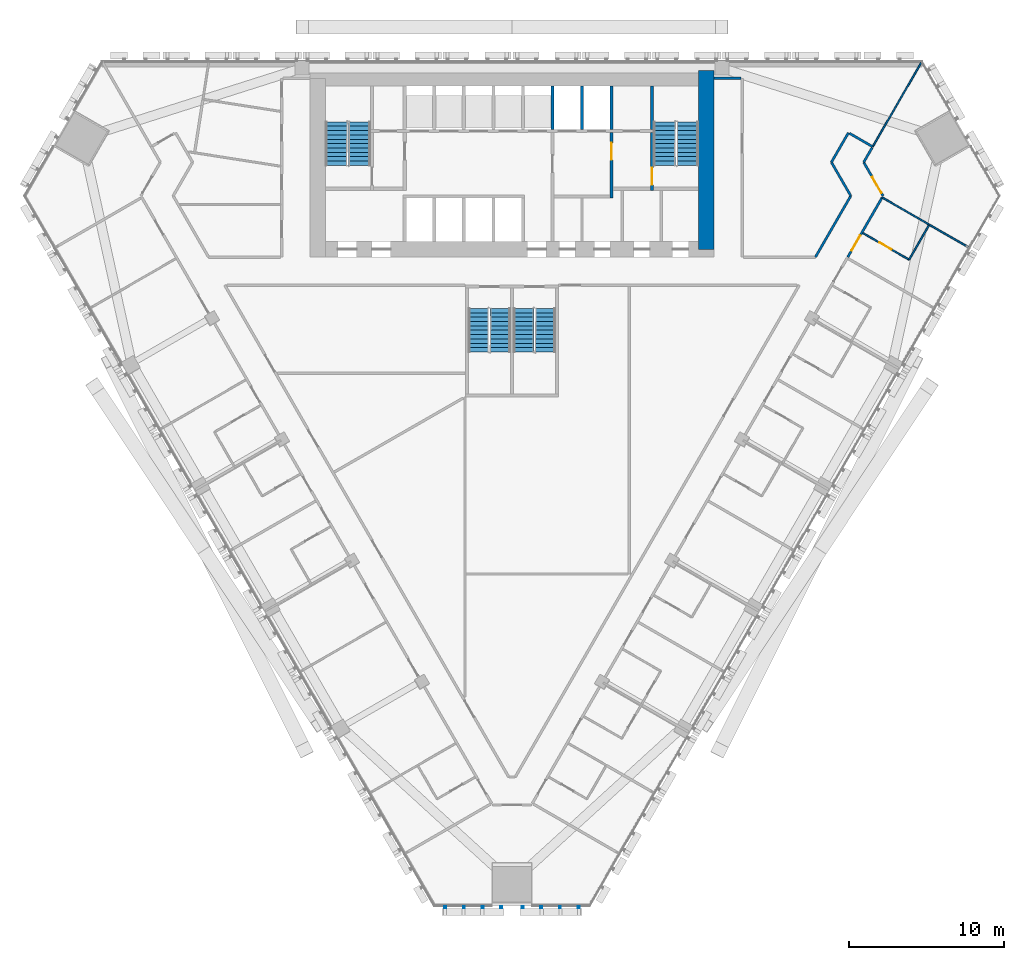
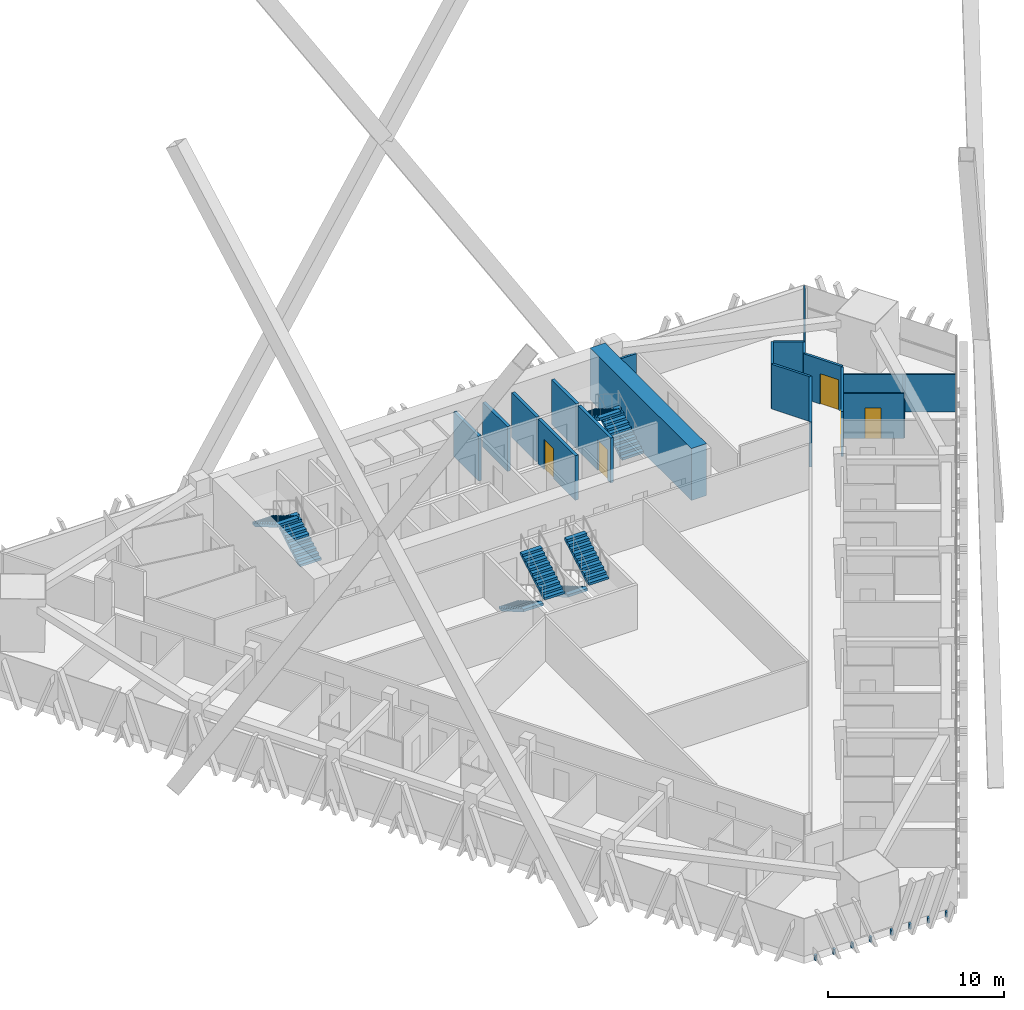
# One storey, part 20 of 24: 19 walls, 8 stair flights, 5 doors, 1 discrete accessory, 5 openings, 4 elements without a shape of their own.
"""IFC4 building model written with IfcOpenShell, lengths in metres."""

from ifc_helpers import new_model, si_unit, direction, frame, frame_2d, origin, place, context, subcontext, project, spatial, polyline, rectangle, outline, extrude, source, transform, mapped, material, layer, layer_set, type_object, element, fill, aggregate, save


model = new_model("IFC4")

# Units and contexts
model_context = context("Model", 3, precision=1e-05, world=origin(), true_north=direction((0.0, 1.0)))
body_context = subcontext(model_context, "Body", "Model", "MODEL_VIEW")
ifc_project = project(units=[si_unit("LENGTHUNIT", "METRE"), si_unit("AREAUNIT", "SQUARE_METRE"), si_unit("VOLUMEUNIT", "CUBIC_METRE"), si_unit("PLANEANGLEUNIT", "RADIAN"), si_unit("MASSUNIT", "GRAM", prefix="KILO")], contexts=[model_context])

# Site, building, storey
site_placement = place(None, origin())
site = spatial("IfcSite", under=ifc_project, at=site_placement, CompositionType="ELEMENT")
building_placement = place(site_placement, origin())
building = spatial("IfcBuilding", under=site, at=building_placement, Name="Altiplano Prism Tower", CompositionType="ELEMENT")
storey_placement = place(building_placement, frame((0.0, 0.0, 27.0)))
storey = spatial("IfcBuildingStorey", under=building, at=storey_placement, Name="L05", CompositionType="ELEMENT", Elevation=27.0)

# Walls
ifc_material_1 = material(Name="Concrete C70/85", Category="concrete")
ifc_layer_1 = layer(ifc_material_1, 1.0)
ifc_layer_set_1 = layer_set([ifc_layer_1], Name="Concrete C70/85")
wall_type_1 = type_object("IfcWallType", Name="Core wall 1000", PredefinedType="SHEAR", material=ifc_layer_set_1)
wall_1_placement = place(storey_placement, frame((97.5, 92.89990234375, 0.0), z_axis=(0.0, 0.0, 1.0), x_axis=(0.0, 1.0, 0.0)))
element("IfcWall", 1, at=wall_1_placement, inside=storey, type_object=wall_type_1, Name="Core wall E L05", PredefinedType="SHEAR", context=body_context, shape_type="SweptSolid", body=[
    extrude(rectangle(XDim=11.5, YDim=1.0, at=frame_2d((5.75, 0.0))), origin(), (0.0, 0.0, 1.0), 3.60009765625),
])
ifc_material_2 = material(Name="Plasterboard on steel stud", Category="steel")
ifc_layer_2 = layer(ifc_material_2, 0.10009765625)
ifc_layer_set_2 = layer_set([ifc_layer_2], Name="Plasterboard on steel stud")
wall_type_2 = type_object("IfcWallType", Name="Partition 100 unit", PredefinedType="PARTITIONING", material=ifc_layer_set_2)
wall_2_placement = place(storey_placement, frame((111.8134765625, 94.4423828125, 0.0), z_axis=(0.0, 0.0, 1.0), x_axis=(-0.499948979701, -0.866054858364, 0.0)))
element("IfcWall", 2, at=wall_2_placement, inside=storey, type_object=wall_type_2, Name="Partition P02 L05 086", PredefinedType="PARTITIONING", context=body_context, shape_type="SweptSolid", body=[
    extrude(rectangle(XDim=2.550048828125, YDim=0.10009765625, at=frame_2d((1.27490234375, 0.0))), origin(), (0.0, 0.0, 1.0), 2.60009765625),
])

# Wall, opening, door
wall_3_placement = place(storey_placement, frame((110.53857421875, 92.23388671875, 0.0), z_axis=(0.0, 0.0, 1.0), x_axis=(-0.866050272892, 0.499956922968, 0.0)))
wall_3 = element("IfcWall", 3, at=wall_3_placement, inside=storey, type_object=wall_type_2, Name="Partition P02 L05 087", PredefinedType="PARTITIONING", context=body_context, shape_type="SweptSolid", body=[
    extrude(rectangle(XDim=3.425048828125, YDim=0.10009765625, at=frame_2d((1.71240234375, 0.0))), origin(), (0.0, 0.0, 1.0), 3.10009765625),
])
opening_1_placement = place(wall_3_placement, frame((1.300048828125, 0.0, 0.0)))
opening_1 = element("IfcOpeningElement", 4, at=opening_1_placement, cuts=wall_3, Name="Opening D0171", PredefinedType="OPENING", context=body_context, shape_type="SweptSolid", body=[
    extrude(rectangle(XDim=0.89990234375, YDim=2.10009765625, at=frame_2d((0.449951171875, 1.050048828125))), frame((0.0, 0.060546875, 0.0), z_axis=(0.0, -1.0, 0.0), x_axis=(1.0, 0.0, 0.0)), (0.0, 0.0, 1.0), 0.12109375),
])
ifc_material_3 = material(Name="Timber", Category="wood")
door_type_1 = type_object("IfcDoorType", Name="Accessible ensuite door 900 x 2100", OperationType="NOTDEFINED", PredefinedType="NOTDEFINED", material=ifc_material_3)
door_1_placement = place(opening_1_placement, origin())
door_1 = element("IfcDoor", 5, at=door_1_placement, inside=storey, type_object=door_type_1, Name="Door D0171", OperationType="SINGLE_SWING_LEFT", OverallHeight=2.10009765625, OverallWidth=0.89990234375, PredefinedType="NOTDEFINED", context=body_context, shape_type="SweptSolid", body=[
    extrude(rectangle(XDim=0.89990234375, YDim=2.10009765625, at=frame_2d((0.449951171875, 1.050048828125))), frame((0.0, 0.02490234375, 0.0), z_axis=(0.0, -1.0, 0.0), x_axis=(1.0, 0.0, 0.0)), (0.0, 0.0, 1.0), 0.050048828125),
])
fill(opening_1, door_1)

# Walls
ifc_layer_3 = layer(ifc_material_2, 0.10009765625)
ifc_layer_set_3 = layer_set([ifc_layer_3], Name="Plasterboard on steel stud")
wall_type_3 = type_object("IfcWallType", Name="Partition 100 wet", PredefinedType="PARTITIONING", material=ifc_layer_set_3)
wall_4_placement = place(storey_placement, frame((114.367431640625, 93.025390625, 0.0), z_axis=(0.0, 0.0, 1.0), x_axis=(-0.866018406147, 0.500012120068, 0.0)))
element("IfcWall", 6, at=wall_4_placement, inside=storey, type_object=wall_type_3, Name="Partition P03 L05 088", PredefinedType="PARTITIONING", context=body_context, shape_type="SweptSolid", body=[
    extrude(rectangle(XDim=6.420166015625, YDim=0.10009765625, at=frame_2d((3.2099609375, 0.0))), origin(), (0.0, 0.0, 1.0), 2.60009765625),
])
wall_5_placement = place(storey_placement, frame((111.3154296875, 104.89990234375, 0.0), z_axis=(0.0, 0.0, 1.0), x_axis=(-0.500004896655, -0.866022576681, 0.0)))
element("IfcWall", 7, at=wall_5_placement, inside=storey, type_object=wall_type_3, Name="Partition P03 L05 089", PredefinedType="PARTITIONING", context=body_context, shape_type="SweptSolid", body=[
    extrude(rectangle(XDim=6.2353515625, YDim=0.10009765625, at=frame_2d((3.11767578125, 0.0))), origin(), (0.0, 0.0, 1.0), 2.60009765625),
])

# Wall, opening, door
ifc_layer_4 = layer(ifc_material_2, 0.14990234375)
ifc_layer_set_4 = layer_set([ifc_layer_4], Name="Plasterboard on steel stud")
wall_type_4 = type_object("IfcWallType", Name="Partition 150 corridor", PredefinedType="PARTITIONING", material=ifc_layer_set_4)
wall_6_placement = place(storey_placement, frame((106.593017578125, 92.39990234375, 0.0), z_axis=(0.0, 0.0, 1.0), x_axis=(0.499968989506, 0.866043306961, 0.0)))
wall_6 = element("IfcWall", 8, at=wall_6_placement, inside=storey, type_object=wall_type_4, Name="Partition P06 L05 013", PredefinedType="PARTITIONING", context=body_context, shape_type="SweptSolid", body=[
    extrude(rectangle(XDim=4.428955078125, YDim=0.14990234375, at=frame_2d((2.21435546875, 0.0))), origin(), (0.0, 0.0, 1.0), 3.10009765625),
])
opening_2_placement = place(wall_6_placement, frame((0.5, 0.0, 0.0)))
opening_2 = element("IfcOpeningElement", 9, at=opening_2_placement, cuts=wall_6, Name="Opening D0170", PredefinedType="OPENING", context=body_context, shape_type="SweptSolid", body=[
    extrude(rectangle(XDim=1.10009765625, YDim=2.10009765625, at=frame_2d((0.550048828125, 1.050048828125))), frame((0.0, 0.08544921875, 0.0), z_axis=(0.0, -1.0, 0.0), x_axis=(1.0, 0.0, 0.0)), (0.0, 0.0, 1.0), 0.1708984375),
])
door_type_2 = type_object("IfcDoorType", Name="Accessible bedroom door 1100 x 2100", OperationType="NOTDEFINED", PredefinedType="NOTDEFINED", material=ifc_material_3)
door_2_placement = place(opening_2_placement, origin())
door_2 = element("IfcDoor", 10, at=door_2_placement, inside=storey, type_object=door_type_2, Name="Door D0170", OperationType="SINGLE_SWING_RIGHT", OverallHeight=2.10009765625, OverallWidth=1.10009765625, PredefinedType="NOTDEFINED", context=body_context, shape_type="SweptSolid", body=[
    extrude(rectangle(XDim=1.10009765625, YDim=2.10009765625, at=frame_2d((0.550048828125, 1.050048828125))), frame((0.0, 0.02490234375, 0.0), z_axis=(0.0, -1.0, 0.0), x_axis=(1.0, 0.0, 0.0)), (0.0, 0.0, 1.0), 0.050048828125),
])
fill(opening_2, door_2)

wall_7_placement = place(storey_placement, frame((108.867431640625, 96.33984375, 0.0), z_axis=(0.0, 0.0, 1.0), x_axis=(-0.499970989427, 0.866042152399, 0.0)))
wall_7 = element("IfcWall", 11, at=wall_7_placement, inside=storey, type_object=wall_type_4, Name="Partition P06 L05 014", PredefinedType="PARTITIONING", context=body_context, shape_type="SweptSolid", body=[
    extrude(rectangle(XDim=2.494384765625, YDim=0.14990234375, at=frame_2d((1.2470703125, 0.0))), origin(), (0.0, 0.0, 1.0), 3.10009765625),
])
opening_3_placement = place(wall_7_placement, frame((0.199951171875, 0.0, 0.0)))
opening_3 = element("IfcOpeningElement", 12, at=opening_3_placement, cuts=wall_7, Name="Opening D0172", PredefinedType="OPENING", context=body_context, shape_type="SweptSolid", body=[
    extrude(rectangle(XDim=1.199951171875, YDim=2.10009765625, at=frame_2d((0.60009765625, 1.050048828125))), frame((0.0, 0.08544921875, 0.0), z_axis=(0.0, -1.0, 0.0), x_axis=(1.0, 0.0, 0.0)), (0.0, 0.0, 1.0), 0.1708984375),
])
door_type_3 = type_object("IfcDoorType", Name="Shared room door 1200 x 2100", OperationType="NOTDEFINED", PredefinedType="NOTDEFINED", material=ifc_material_3)
door_3_placement = place(opening_3_placement, origin())
door_3 = element("IfcDoor", 13, at=door_3_placement, inside=storey, type_object=door_type_3, Name="Door D0172", OperationType="SINGLE_SWING_RIGHT", OverallHeight=2.10009765625, OverallWidth=1.199951171875, PredefinedType="NOTDEFINED", context=body_context, shape_type="SweptSolid", body=[
    extrude(rectangle(XDim=1.199951171875, YDim=2.10009765625, at=frame_2d((0.60009765625, 1.050048828125))), frame((0.0, 0.02490234375, 0.0), z_axis=(0.0, -1.0, 0.0), x_axis=(1.0, 0.0, 0.0)), (0.0, 0.0, 1.0), 0.050048828125),
])
fill(opening_3, door_3)

# Walls
wall_8_placement = place(storey_placement, frame((107.620361328125, 98.5, 0.0), z_axis=(0.0, 0.0, 1.0), x_axis=(0.499957341738, 0.866050031143, 0.0)))
element("IfcWall", 14, at=wall_8_placement, inside=storey, type_object=wall_type_4, Name="Partition P06 L05 015", PredefinedType="PARTITIONING", context=body_context, shape_type="SweptSolid", body=[
    extrude(rectangle(XDim=1.07958984375, YDim=0.14990234375, at=frame_2d((0.539794921875, 0.0))), origin(), (0.0, 0.0, 1.0), 3.10009765625),
])
wall_9_placement = place(storey_placement, frame((108.19775390625, 99.5, 0.0), z_axis=(0.0, 0.0, 1.0), x_axis=(-0.866013532718, 0.500020560727, 0.0)))
element("IfcWall", 15, at=wall_9_placement, inside=storey, type_object=wall_type_4, Name="Partition P06 L05 018", PredefinedType="PARTITIONING", context=body_context, shape_type="SweptSolid", body=[
    extrude(rectangle(XDim=1.72509765625, YDim=0.14990234375, at=frame_2d((0.862548828125, 0.0))), origin(), (0.0, 0.0, 1.0), 3.10009765625),
])
wall_10_placement = place(storey_placement, frame((106.638671875, 100.39990234375, 0.0), z_axis=(0.0, 0.0, 1.0), x_axis=(-0.500005024956, -0.866022502605, 0.0)))
element("IfcWall", 16, at=wall_10_placement, inside=storey, type_object=wall_type_4, Name="Partition P06 L05 019", PredefinedType="PARTITIONING", context=body_context, shape_type="SweptSolid", body=[
    extrude(rectangle(XDim=2.19384765625, YDim=0.14990234375, at=frame_2d((1.096923828125, 0.0))), origin(), (0.0, 0.0, 1.0), 3.10009765625),
])
wall_11_placement = place(storey_placement, frame((105.541748046875, 98.5, 0.0), z_axis=(0.0, 0.0, 1.0), x_axis=(0.50004439687, -0.865999769722, 0.0)))
element("IfcWall", 17, at=wall_11_placement, inside=storey, type_object=wall_type_4, Name="Partition P06 L05 020", PredefinedType="PARTITIONING", context=body_context, shape_type="SweptSolid", body=[
    extrude(rectangle(XDim=2.494384765625, YDim=0.14990234375, at=frame_2d((1.2470703125, 0.0))), origin(), (0.0, 0.0, 1.0), 3.10009765625),
])
wall_12_placement = place(storey_placement, frame((106.7890625, 96.33984375, 0.0), z_axis=(0.0, 0.0, 1.0), x_axis=(-0.499988785058, -0.866031878637, 0.0)))
element("IfcWall", 18, at=wall_12_placement, inside=storey, type_object=wall_type_4, Name="Partition P06 L05 021", PredefinedType="PARTITIONING", context=body_context, shape_type="SweptSolid", body=[
    extrude(rectangle(XDim=4.54931640625, YDim=0.14990234375, at=frame_2d((2.274658203125, 0.0))), origin(), (0.0, 0.0, 1.0), 3.10009765625),
])
wall_13_placement = place(storey_placement, frame((99.72509765625, 103.89990234375, 0.0), z_axis=(0.0, 0.0, 1.0), x_axis=(-1.0, 0.0, 0.0)))
element("IfcWall", 19, at=wall_13_placement, inside=storey, type_object=wall_type_4, Name="Partition P06 L05 024", PredefinedType="PARTITIONING", context=body_context, shape_type="SweptSolid", body=[
    extrude(rectangle(XDim=1.72509765625, YDim=0.14990234375, at=frame_2d((0.862548828125, 0.0))), origin(), (0.0, 0.0, 1.0), 2.60009765625),
])
ifc_material_4 = material(Name="Concrete C60/75", Category="concrete")
ifc_layer_5 = layer(ifc_material_4, 0.199951171875)
ifc_layer_set_5 = layer_set([ifc_layer_5], Name="Concrete C60/75")
wall_type_5 = type_object("IfcWallType", Name="Shaft wall 200", PredefinedType="SOLIDWALL", material=ifc_layer_set_5)
for number, where, z_axis, x_axis, name in (
    (20, (87.60009765625, 100.60009765625, 0.0), (0.0, 0.0, 1.0), (0.0, 1.0, 0.0), "Shaft wall L05"),
    (21, (89.5, 100.60009765625, 0.0), (0.0, 0.0, 1.0), (0.0, 1.0, 0.0), "Shaft wall L05"),
    (22, (91.39990234375, 100.60009765625, 0.0), (0.0, 0.0, 1.0), (0.0, 1.0, 0.0), "Shaft wall L05"),
):
    element("IfcWall", number, at=place(storey_placement, frame(where, z_axis=z_axis, x_axis=x_axis)), inside=storey, type_object=wall_type_5, Name=name, PredefinedType="SOLIDWALL", context=body_context, shape_type="SweptSolid", body=[
        extrude(rectangle(XDim=2.7998046875, YDim=0.199951171875, at=frame_2d((1.39990234375, 0.0))), origin(), (0.0, 0.0, 1.0), 3.10009765625),
    ])

# Wall, opening, door
ifc_layer_6 = layer(ifc_material_4, 0.199951171875)
ifc_layer_set_6 = layer_set([ifc_layer_6], Name="Concrete C60/75")
wall_type_6 = type_object("IfcWallType", Name="Stair wall 200", PredefinedType="SOLIDWALL", material=ifc_layer_set_6)
wall_14_placement = place(storey_placement, frame((94.0, 96.699951171875, 0.0), z_axis=(0.0, 0.0, 1.0), x_axis=(0.0, 1.0, 0.0)))
wall_14 = element("IfcWall", 23, at=wall_14_placement, inside=storey, type_object=wall_type_6, Name="Stair wall L05", PredefinedType="SOLIDWALL", context=body_context, shape_type="SweptSolid", body=[
    extrude(rectangle(XDim=3.699951171875, YDim=0.199951171875, at=frame_2d((1.85009765625, 0.0))), origin(), (0.0, 0.0, 1.0), 3.10009765625),
])
opening_4_placement = place(wall_14_placement, frame((0.35009765625, 0.0, 0.0)))
opening_4 = element("IfcOpeningElement", 24, at=opening_4_placement, cuts=wall_14, Name="Opening D2655", PredefinedType="OPENING", context=body_context, shape_type="SweptSolid", body=[
    extrude(rectangle(XDim=1.10009765625, YDim=2.10009765625, at=frame_2d((0.550048828125, 1.050048828125))), frame((0.0, 0.1103515625, 0.0), z_axis=(0.0, -1.0, 0.0), x_axis=(1.0, 0.0, 0.0)), (0.0, 0.0, 1.0), 0.220947265625),
])
ifc_material_5 = material(Name="Fire-rated steel door", Category="steel")
door_type_4 = type_object("IfcDoorType", Name="Stair fire door 1100 x 2100", OperationType="NOTDEFINED", PredefinedType="NOTDEFINED", material=ifc_material_5)
door_4_placement = place(opening_4_placement, origin())
door_4 = element("IfcDoor", 25, at=door_4_placement, inside=storey, type_object=door_type_4, Name="Stair fire door D2655", OperationType="SINGLE_SWING_LEFT", OverallHeight=2.10009765625, OverallWidth=1.10009765625, PredefinedType="NOTDEFINED", context=body_context, shape_type="SweptSolid", body=[
    extrude(rectangle(XDim=1.10009765625, YDim=2.10009765625, at=frame_2d((0.550048828125, 1.050048828125))), frame((0.0, 0.02490234375, 0.0), z_axis=(0.0, -1.0, 0.0), x_axis=(1.0, 0.0, 0.0)), (0.0, 0.0, 1.0), 0.050048828125),
])
fill(opening_4, door_4)

# Wall
wall_15_placement = place(storey_placement, frame((94.0, 100.60009765625, 0.0), z_axis=(0.0, 0.0, 1.0), x_axis=(0.0, 1.0, 0.0)))
element("IfcWall", 26, at=wall_15_placement, inside=storey, type_object=wall_type_6, Name="Stair wall L05", PredefinedType="SOLIDWALL", context=body_context, shape_type="SweptSolid", body=[
    extrude(rectangle(XDim=2.7998046875, YDim=0.199951171875, at=frame_2d((1.39990234375, 0.0))), origin(), (0.0, 0.0, 1.0), 3.10009765625),
])

# Wall, opening, door
ifc_layer_7 = layer(ifc_material_4, 0.199951171875)
ifc_layer_set_7 = layer_set([ifc_layer_7], Name="Concrete C60/75")
wall_type_7 = type_object("IfcWallType", Name="Vestibule wall 200", PredefinedType="PARTITIONING", material=ifc_layer_set_7)
wall_16_placement = place(storey_placement, frame((91.39990234375, 96.199951171875, 0.0), z_axis=(0.0, 0.0, 1.0), x_axis=(0.0, 1.0, 0.0)))
wall_16 = element("IfcWall", 27, at=wall_16_placement, inside=storey, type_object=wall_type_7, Name="Vestibule wall L05", PredefinedType="PARTITIONING", context=body_context, shape_type="SweptSolid", body=[
    extrude(rectangle(XDim=4.199951171875, YDim=0.199951171875, at=frame_2d((2.10009765625, 0.0))), origin(), (0.0, 0.0, 1.0), 3.10009765625),
])
opening_5_placement = place(wall_16_placement, frame((2.449951171875, 0.0, 0.0)))
opening_5 = element("IfcOpeningElement", 28, at=opening_5_placement, cuts=wall_16, Name="Opening D2658", PredefinedType="OPENING", context=body_context, shape_type="SweptSolid", body=[
    extrude(rectangle(XDim=1.10009765625, YDim=2.10009765625, at=frame_2d((0.550048828125, 1.050048828125))), frame((0.0, 0.1103515625, 0.0), z_axis=(0.0, -1.0, 0.0), x_axis=(1.0, 0.0, 0.0)), (0.0, 0.0, 1.0), 0.220947265625),
])
door_type_5 = type_object("IfcDoorType", Name="Vestibule fire door 1100 x 2100", OperationType="NOTDEFINED", PredefinedType="NOTDEFINED", material=ifc_material_5)
door_5_placement = place(opening_5_placement, origin())
door_5 = element("IfcDoor", 29, at=door_5_placement, inside=storey, type_object=door_type_5, Name="Vestibule fire door D2658", OperationType="SINGLE_SWING_LEFT", OverallHeight=2.10009765625, OverallWidth=1.10009765625, PredefinedType="NOTDEFINED", context=body_context, shape_type="SweptSolid", body=[
    extrude(rectangle(XDim=1.10009765625, YDim=2.10009765625, at=frame_2d((0.550048828125, 1.050048828125))), frame((0.0, 0.02490234375, 0.0), z_axis=(0.0, -1.0, 0.0), x_axis=(1.0, 0.0, 0.0)), (0.0, 0.0, 1.0), 0.050048828125),
])
fill(opening_5, door_5)

# Stair, stair flights
ifc_material_6 = material(Name="Concrete C40/50", Category="concrete")
stair_type_1 = type_object("IfcStairType", Name="Exit stair 1400", PredefinedType="HALF_TURN_STAIR", material=ifc_material_6)
stair_1_placement = place(storey_placement, origin())
stair_1 = element("IfcStair", 30, at=stair_1_placement, inside=storey, type_object=stair_type_1, Name="L05 Exit Stair 1", PredefinedType="HALF_TURN_STAIR")
stair_flight_type = type_object("IfcStairFlightType", Name="Stair flight concrete 150", PredefinedType="STRAIGHT", material=ifc_material_6)
stair_flight_1_placement = place(storey_placement, frame((75.199951171875, 98.300048828125, 0.0), z_axis=(0.0, 0.0, 1.0), x_axis=(0.0, 1.0, 0.0)))
stair_flight_1 = element("IfcStairFlight", 31, at=stair_flight_1_placement, type_object=stair_flight_type, Name="ST1 flight 1", NumberOfRisers=11, NumberOfTreads=10, PredefinedType="STRAIGHT", RiserHeight=0.163636364, TreadLength=0.28, context=body_context, shape_type="SweptSolid", body=[
    extrude(outline(polyline([(0.0, 0.0), (0.0, 0.16357421875), (0.280029296875, 0.16357421875), (0.280029296875, 0.327392578125), (0.56005859375, 0.327392578125), (0.56005859375, 0.490966796875), (0.840087890625, 0.490966796875), (0.840087890625, 0.654541015625), (1.1201171875, 0.654541015625), (1.1201171875, 0.818115234375), (1.39990234375, 0.818115234375), (1.39990234375, 0.98193359375), (1.679931640625, 0.98193359375), (1.679931640625, 1.1455078125), (1.9599609375, 1.1455078125), (1.9599609375, 1.30908203125), (2.239990234375, 1.30908203125), (2.239990234375, 1.47265625), (2.52001953125, 1.47265625), (2.52001953125, 1.636474609375), (2.800048828125, 1.636474609375), (2.800048828125, 1.800048828125), (2.800048828125, 1.462646484375), (0.297119140625, 0.0), (0.0, 0.0)])), frame((0.0, 0.699951171875, 0.0), z_axis=(0.0, -1.0, 0.0), x_axis=(1.0, 0.0, 0.0)), (0.0, 0.0, 1.0), 1.39990234375),
])
stair_flight_2_placement = place(storey_placement, frame((73.699951171875, 101.10009765625, 1.800048828125), z_axis=(0.0, 0.0, 1.0), x_axis=(0.0, -1.0, 0.0)))
stair_flight_2 = element("IfcStairFlight", 32, at=stair_flight_2_placement, type_object=stair_flight_type, Name="ST1 flight 2", NumberOfRisers=11, NumberOfTreads=10, PredefinedType="STRAIGHT", RiserHeight=0.163636364, TreadLength=0.28, context=body_context, shape_type="SweptSolid", body=[
    extrude(outline(polyline([(0.0, 0.0), (0.0, 0.16357421875), (0.280029296875, 0.16357421875), (0.280029296875, 0.327392578125), (0.56005859375, 0.327392578125), (0.56005859375, 0.490966796875), (0.840087890625, 0.490966796875), (0.840087890625, 0.654541015625), (1.1201171875, 0.654541015625), (1.1201171875, 0.818115234375), (1.39990234375, 0.818115234375), (1.39990234375, 0.98193359375), (1.679931640625, 0.98193359375), (1.679931640625, 1.1455078125), (1.9599609375, 1.1455078125), (1.9599609375, 1.30908203125), (2.239990234375, 1.30908203125), (2.239990234375, 1.47265625), (2.52001953125, 1.47265625), (2.52001953125, 1.636474609375), (2.800048828125, 1.636474609375), (2.800048828125, 1.800048828125), (2.800048828125, 1.462646484375), (0.297119140625, 0.0), (0.0, 0.0)])), frame((0.0, 0.699951171875, 0.0), z_axis=(0.0, -1.0, 0.0), x_axis=(1.0, 0.0, 0.0)), (0.0, 0.0, 1.0), 1.39990234375),
])
aggregate(stair_1, [stair_flight_1, stair_flight_2])

stair_2_placement = place(storey_placement, origin())
stair_2 = element("IfcStair", 33, at=stair_2_placement, inside=storey, type_object=stair_type_1, Name="L05 Exit Stair 2", PredefinedType="HALF_TURN_STAIR")
stair_flight_3_placement = place(storey_placement, frame((96.300048828125, 98.300048828125, 0.0), z_axis=(0.0, 0.0, 1.0), x_axis=(0.0, 1.0, 0.0)))
stair_flight_3 = element("IfcStairFlight", 34, at=stair_flight_3_placement, type_object=stair_flight_type, Name="ST2 flight 1", NumberOfRisers=11, NumberOfTreads=10, PredefinedType="STRAIGHT", RiserHeight=0.163636364, TreadLength=0.28, context=body_context, shape_type="SweptSolid", body=[
    extrude(outline(polyline([(0.0, 0.0), (0.0, 0.16357421875), (0.280029296875, 0.16357421875), (0.280029296875, 0.327392578125), (0.56005859375, 0.327392578125), (0.56005859375, 0.490966796875), (0.840087890625, 0.490966796875), (0.840087890625, 0.654541015625), (1.1201171875, 0.654541015625), (1.1201171875, 0.818115234375), (1.39990234375, 0.818115234375), (1.39990234375, 0.98193359375), (1.679931640625, 0.98193359375), (1.679931640625, 1.1455078125), (1.9599609375, 1.1455078125), (1.9599609375, 1.30908203125), (2.239990234375, 1.30908203125), (2.239990234375, 1.47265625), (2.52001953125, 1.47265625), (2.52001953125, 1.636474609375), (2.800048828125, 1.636474609375), (2.800048828125, 1.800048828125), (2.800048828125, 1.462646484375), (0.297119140625, 0.0), (0.0, 0.0)])), frame((0.0, 0.699951171875, 0.0), z_axis=(0.0, -1.0, 0.0), x_axis=(1.0, 0.0, 0.0)), (0.0, 0.0, 1.0), 1.39990234375),
])
stair_flight_4_placement = place(storey_placement, frame((94.800048828125, 101.10009765625, 1.800048828125), z_axis=(0.0, 0.0, 1.0), x_axis=(0.0, -1.0, 0.0)))
stair_flight_4 = element("IfcStairFlight", 35, at=stair_flight_4_placement, type_object=stair_flight_type, Name="ST2 flight 2", NumberOfRisers=11, NumberOfTreads=10, PredefinedType="STRAIGHT", RiserHeight=0.163636364, TreadLength=0.28, context=body_context, shape_type="SweptSolid", body=[
    extrude(outline(polyline([(0.0, 0.0), (0.0, 0.16357421875), (0.280029296875, 0.16357421875), (0.280029296875, 0.327392578125), (0.56005859375, 0.327392578125), (0.56005859375, 0.490966796875), (0.840087890625, 0.490966796875), (0.840087890625, 0.654541015625), (1.1201171875, 0.654541015625), (1.1201171875, 0.818115234375), (1.39990234375, 0.818115234375), (1.39990234375, 0.98193359375), (1.679931640625, 0.98193359375), (1.679931640625, 1.1455078125), (1.9599609375, 1.1455078125), (1.9599609375, 1.30908203125), (2.239990234375, 1.30908203125), (2.239990234375, 1.47265625), (2.52001953125, 1.47265625), (2.52001953125, 1.636474609375), (2.800048828125, 1.636474609375), (2.800048828125, 1.800048828125), (2.800048828125, 1.462646484375), (0.297119140625, 0.0), (0.0, 0.0)])), frame((0.0, 0.699951171875, 0.0), z_axis=(0.0, -1.0, 0.0), x_axis=(1.0, 0.0, 0.0)), (0.0, 0.0, 1.0), 1.39990234375),
])
aggregate(stair_2, [stair_flight_3, stair_flight_4])

stair_type_2 = type_object("IfcStairType", Name="Exit stair 1300", PredefinedType="HALF_TURN_STAIR", material=ifc_material_6)
stair_3_placement = place(storey_placement, origin())
stair_3 = element("IfcStair", 36, at=stair_3_placement, inside=storey, type_object=stair_type_2, Name="L05 Exit Stair 3A", PredefinedType="HALF_TURN_STAIR")
stair_flight_5_placement = place(storey_placement, frame((82.85009765625, 89.10009765625, 0.0), z_axis=(0.0, 0.0, 1.0), x_axis=(0.0, -1.0, 0.0)))
stair_flight_5 = element("IfcStairFlight", 37, at=stair_flight_5_placement, type_object=stair_flight_type, Name="ST3A flight 1", NumberOfRisers=11, NumberOfTreads=10, PredefinedType="STRAIGHT", RiserHeight=0.163636364, TreadLength=0.28, context=body_context, shape_type="SweptSolid", body=[
    extrude(outline(polyline([(0.0, 0.0), (0.0, 0.16357421875), (0.280029296875, 0.16357421875), (0.280029296875, 0.327392578125), (0.56005859375, 0.327392578125), (0.56005859375, 0.490966796875), (0.840087890625, 0.490966796875), (0.840087890625, 0.654541015625), (1.1201171875, 0.654541015625), (1.1201171875, 0.818115234375), (1.39990234375, 0.818115234375), (1.39990234375, 0.98193359375), (1.679931640625, 0.98193359375), (1.679931640625, 1.1455078125), (1.9599609375, 1.1455078125), (1.9599609375, 1.30908203125), (2.239990234375, 1.30908203125), (2.239990234375, 1.47265625), (2.52001953125, 1.47265625), (2.52001953125, 1.636474609375), (2.800048828125, 1.636474609375), (2.800048828125, 1.800048828125), (2.800048828125, 1.462646484375), (0.297119140625, 0.0), (0.0, 0.0)])), frame((0.0, 0.64990234375, 0.0), z_axis=(0.0, -1.0, 0.0), x_axis=(1.0, 0.0, 0.0)), (0.0, 0.0, 1.0), 1.300048828125),
])
stair_flight_6_placement = place(storey_placement, frame((84.25, 86.300048828125, 1.800048828125), z_axis=(0.0, 0.0, 1.0), x_axis=(0.0, 1.0, 0.0)))
stair_flight_6 = element("IfcStairFlight", 38, at=stair_flight_6_placement, type_object=stair_flight_type, Name="ST3A flight 2", NumberOfRisers=11, NumberOfTreads=10, PredefinedType="STRAIGHT", RiserHeight=0.163636364, TreadLength=0.28, context=body_context, shape_type="SweptSolid", body=[
    extrude(outline(polyline([(0.0, 0.0), (0.0, 0.16357421875), (0.280029296875, 0.16357421875), (0.280029296875, 0.327392578125), (0.56005859375, 0.327392578125), (0.56005859375, 0.490966796875), (0.840087890625, 0.490966796875), (0.840087890625, 0.654541015625), (1.1201171875, 0.654541015625), (1.1201171875, 0.818115234375), (1.39990234375, 0.818115234375), (1.39990234375, 0.98193359375), (1.679931640625, 0.98193359375), (1.679931640625, 1.1455078125), (1.9599609375, 1.1455078125), (1.9599609375, 1.30908203125), (2.239990234375, 1.30908203125), (2.239990234375, 1.47265625), (2.52001953125, 1.47265625), (2.52001953125, 1.636474609375), (2.800048828125, 1.636474609375), (2.800048828125, 1.800048828125), (2.800048828125, 1.462646484375), (0.297119140625, 0.0), (0.0, 0.0)])), frame((0.0, 0.64990234375, 0.0), z_axis=(0.0, -1.0, 0.0), x_axis=(1.0, 0.0, 0.0)), (0.0, 0.0, 1.0), 1.300048828125),
])
aggregate(stair_3, [stair_flight_5, stair_flight_6])

stair_4_placement = place(storey_placement, origin())
stair_4 = element("IfcStair", 39, at=stair_4_placement, inside=storey, type_object=stair_type_2, Name="L05 Exit Stair 3B", PredefinedType="HALF_TURN_STAIR")
stair_flight_7_placement = place(storey_placement, frame((85.75, 89.10009765625, 0.0), z_axis=(0.0, 0.0, 1.0), x_axis=(0.0, -1.0, 0.0)))
stair_flight_7 = element("IfcStairFlight", 40, at=stair_flight_7_placement, type_object=stair_flight_type, Name="ST3B flight 1", NumberOfRisers=11, NumberOfTreads=10, PredefinedType="STRAIGHT", RiserHeight=0.163636364, TreadLength=0.28, context=body_context, shape_type="SweptSolid", body=[
    extrude(outline(polyline([(0.0, 0.0), (0.0, 0.16357421875), (0.280029296875, 0.16357421875), (0.280029296875, 0.327392578125), (0.56005859375, 0.327392578125), (0.56005859375, 0.490966796875), (0.840087890625, 0.490966796875), (0.840087890625, 0.654541015625), (1.1201171875, 0.654541015625), (1.1201171875, 0.818115234375), (1.39990234375, 0.818115234375), (1.39990234375, 0.98193359375), (1.679931640625, 0.98193359375), (1.679931640625, 1.1455078125), (1.9599609375, 1.1455078125), (1.9599609375, 1.30908203125), (2.239990234375, 1.30908203125), (2.239990234375, 1.47265625), (2.52001953125, 1.47265625), (2.52001953125, 1.636474609375), (2.800048828125, 1.636474609375), (2.800048828125, 1.800048828125), (2.800048828125, 1.462646484375), (0.297119140625, 0.0), (0.0, 0.0)])), frame((0.0, 0.64990234375, 0.0), z_axis=(0.0, -1.0, 0.0), x_axis=(1.0, 0.0, 0.0)), (0.0, 0.0, 1.0), 1.300048828125),
])
stair_flight_8_placement = place(storey_placement, frame((87.14990234375, 86.300048828125, 1.800048828125), z_axis=(0.0, 0.0, 1.0), x_axis=(0.0, 1.0, 0.0)))
stair_flight_8 = element("IfcStairFlight", 41, at=stair_flight_8_placement, type_object=stair_flight_type, Name="ST3B flight 2", NumberOfRisers=11, NumberOfTreads=10, PredefinedType="STRAIGHT", RiserHeight=0.163636364, TreadLength=0.28, context=body_context, shape_type="SweptSolid", body=[
    extrude(outline(polyline([(0.0, 0.0), (0.0, 0.16357421875), (0.280029296875, 0.16357421875), (0.280029296875, 0.327392578125), (0.56005859375, 0.327392578125), (0.56005859375, 0.490966796875), (0.840087890625, 0.490966796875), (0.840087890625, 0.654541015625), (1.1201171875, 0.654541015625), (1.1201171875, 0.818115234375), (1.39990234375, 0.818115234375), (1.39990234375, 0.98193359375), (1.679931640625, 0.98193359375), (1.679931640625, 1.1455078125), (1.9599609375, 1.1455078125), (1.9599609375, 1.30908203125), (2.239990234375, 1.30908203125), (2.239990234375, 1.47265625), (2.52001953125, 1.47265625), (2.52001953125, 1.636474609375), (2.800048828125, 1.636474609375), (2.800048828125, 1.800048828125), (2.800048828125, 1.462646484375), (0.297119140625, 0.0), (0.0, 0.0)])), frame((0.0, 0.64990234375, 0.0), z_axis=(0.0, -1.0, 0.0), x_axis=(1.0, 0.0, 0.0)), (0.0, 0.0, 1.0), 1.300048828125),
])
aggregate(stair_4, [stair_flight_7, stair_flight_8])

# Discrete accessory
ifc_material_7 = material(Name="Stainless steel", Category="steel")
discrete_accessory_type = type_object("IfcDiscreteAccessoryType", Name="Stone fin fixing prongs", PredefinedType="USERDEFINED", material=ifc_material_7)
shared_shape = source(origin(), body_context, "Body", "SweptSolid", [
    extrude(outline(polyline([(-4.35107421875, 0.06005859375), (-4.23095703125, 0.06005859375), (-4.23095703125, 0.43994140625), (-4.35107421875, 0.43994140625), (-4.35107421875, 0.06005859375)])), frame((0.0, 0.0, 0.0), z_axis=(0.0, -1.0, 0.0), x_axis=(1.0, 0.0, 0.0)), (0.0, 0.0, 1.0), 0.14990234375),
    extrude(outline(polyline([(-3.15087890625, 0.06005859375), (-3.031005859375, 0.06005859375), (-3.031005859375, 0.43994140625), (-3.15087890625, 0.43994140625), (-3.15087890625, 0.06005859375)])), frame((0.0, 0.0, 0.0), z_axis=(0.0, -1.0, 0.0), x_axis=(1.0, 0.0, 0.0)), (0.0, 0.0, 1.0), 0.14990234375),
    extrude(outline(polyline([(-1.950927734375, 0.06005859375), (-1.8310546875, 0.06005859375), (-1.8310546875, 0.43994140625), (-1.950927734375, 0.43994140625), (-1.950927734375, 0.06005859375)])), frame((0.0, 0.0, 0.0), z_axis=(0.0, -1.0, 0.0), x_axis=(1.0, 0.0, 0.0)), (0.0, 0.0, 1.0), 0.14990234375),
    extrude(outline(polyline([(-0.7509765625, 0.06005859375), (-0.631103515625, 0.06005859375), (-0.631103515625, 0.43994140625), (-0.7509765625, 0.43994140625), (-0.7509765625, 0.06005859375)])), frame((0.0, 0.0, 0.0), z_axis=(0.0, -1.0, 0.0), x_axis=(1.0, 0.0, 0.0)), (0.0, 0.0, 1.0), 0.14990234375),
    extrude(outline(polyline([(0.631103515625, 0.06005859375), (0.7509765625, 0.06005859375), (0.7509765625, 0.43994140625), (0.631103515625, 0.43994140625), (0.631103515625, 0.06005859375)])), frame((0.0, 0.0, 0.0), z_axis=(0.0, -1.0, 0.0), x_axis=(1.0, 0.0, 0.0)), (0.0, 0.0, 1.0), 0.14990234375),
    extrude(outline(polyline([(1.8310546875, 0.06005859375), (1.950927734375, 0.06005859375), (1.950927734375, 0.43994140625), (1.8310546875, 0.43994140625), (1.8310546875, 0.06005859375)])), frame((0.0, 0.0, 0.0), z_axis=(0.0, -1.0, 0.0), x_axis=(1.0, 0.0, 0.0)), (0.0, 0.0, 1.0), 0.14990234375),
    extrude(outline(polyline([(3.031005859375, 0.06005859375), (3.15087890625, 0.06005859375), (3.15087890625, 0.43994140625), (3.031005859375, 0.43994140625), (3.031005859375, 0.06005859375)])), frame((0.0, 0.0, 0.0), z_axis=(0.0, -1.0, 0.0), x_axis=(1.0, 0.0, 0.0)), (0.0, 0.0, 1.0), 0.14990234375),
    extrude(outline(polyline([(4.23095703125, 0.06005859375), (4.35107421875, 0.06005859375), (4.35107421875, 0.43994140625), (4.23095703125, 0.43994140625), (4.23095703125, 0.06005859375)])), frame((0.0, 0.0, 0.0), z_axis=(0.0, -1.0, 0.0), x_axis=(1.0, 0.0, 0.0)), (0.0, 0.0, 1.0), 0.14990234375),
])
discrete_accessory_placement = place(storey_placement, origin())
element("IfcDiscreteAccessory", 42, at=discrete_accessory_placement, inside=storey, type_object=discrete_accessory_type, Name="Fin fixings L05 south chamfer", ObjectType="BRACKET", PredefinedType="USERDEFINED", context=body_context, shape_type="MappedRepresentation", body=[
    mapped(shared_shape, transform((85.0, 50.66015625, -0.5), x_axis=(1.0, 0.0, 0.0), y_axis=(0.0, 1.0, 0.0), z_axis=(0.0, 0.0, 1.0))),
])

save(model, "model.ifc")
